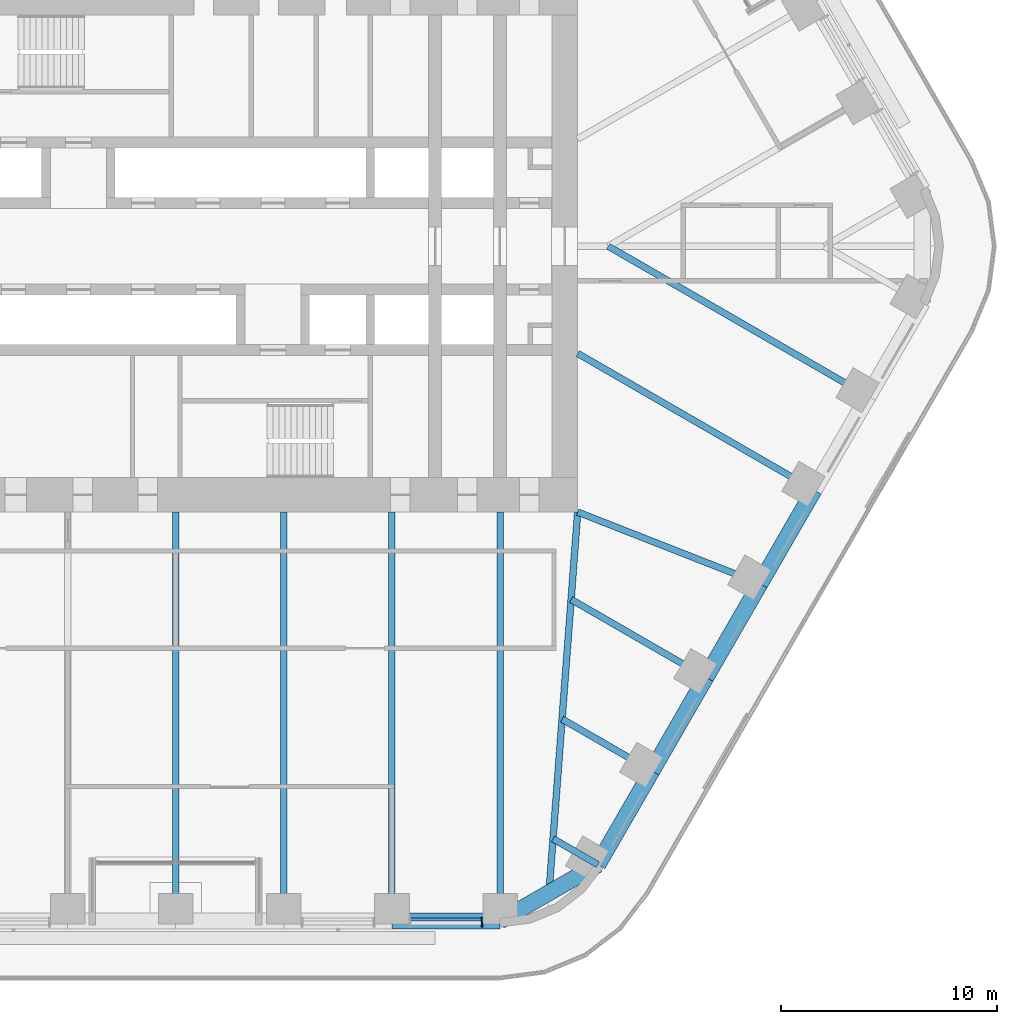
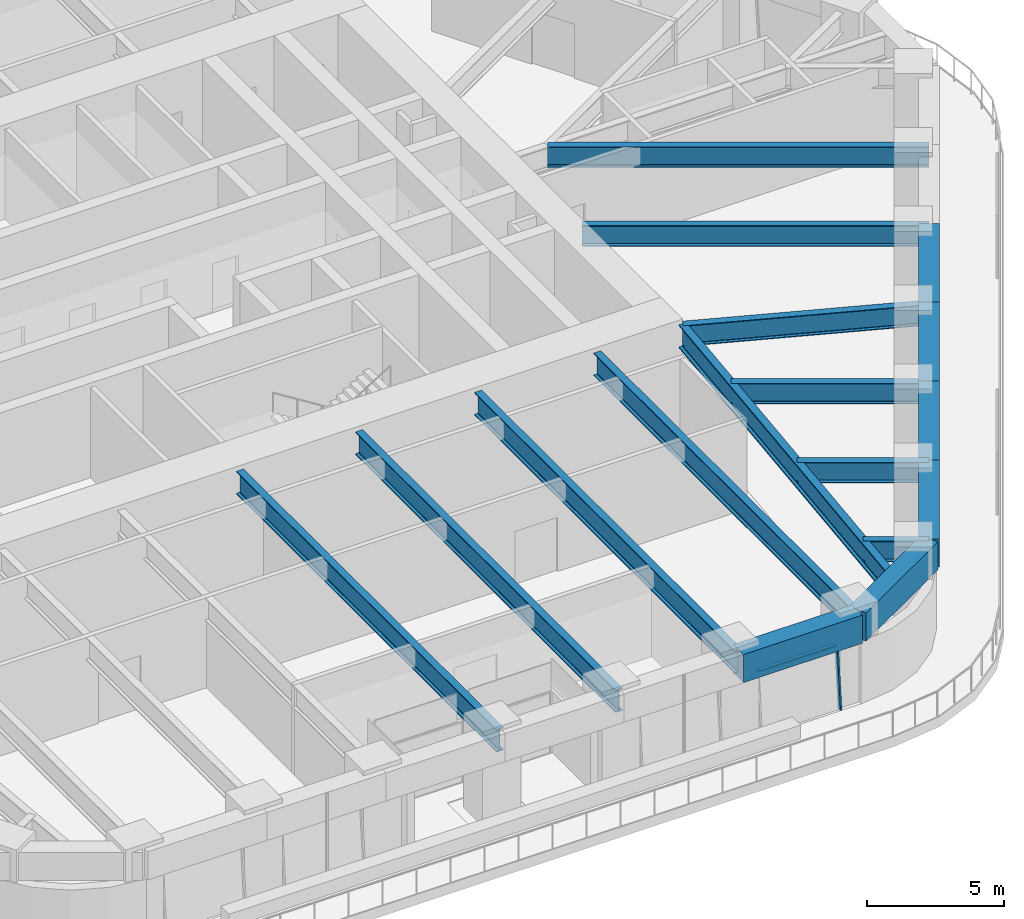
# One storey, part 5 of 24: 17 beams, 2 members, 1 element without a shape of its own.
"""IFC4 building model written with IfcOpenShell, lengths in metres."""

from ifc_helpers import new_model, si_unit, direction, frame, origin, origin_2d, place, context, subcontext, project, spatial, rectangle, i_section, extrude, material, material_profile, profile_set, type_object, element, aggregate, save


model = new_model("IFC4")

# Units and contexts
model_context = context("Model", 3, precision=1e-05, world=origin(), true_north=direction((0.0, 1.0)))
body_context = subcontext(model_context, "Body", "Model", "MODEL_VIEW")
ifc_project = project(units=[si_unit("LENGTHUNIT", "METRE"), si_unit("AREAUNIT", "SQUARE_METRE"), si_unit("VOLUMEUNIT", "CUBIC_METRE"), si_unit("PLANEANGLEUNIT", "RADIAN"), si_unit("MASSUNIT", "GRAM", prefix="KILO")], contexts=[model_context])

# Site, building, storey
site_placement = place(None, origin())
site = spatial("IfcSite", under=ifc_project, at=site_placement, CompositionType="ELEMENT")
building_placement = place(site_placement, origin())
building = spatial("IfcBuilding", under=site, at=building_placement, Name="Tarfa Lantern Tower", CompositionType="ELEMENT")
storey_placement = place(building_placement, frame((0.0, 0.0, 178.300048828125)))
storey = spatial("IfcBuildingStorey", under=building, at=storey_placement, Name="L40", CompositionType="ELEMENT", Elevation=178.300048828125)

# Curtain wall, members
ifc_material_1 = material(Name="Aluminium framed curtain wall", Category="aluminium")
curtain_wall_type = type_object("IfcCurtainWallType", Name="CW2 CANTED GLAZING MID ZONE 2750", PredefinedType="USERDEFINED", material=ifc_material_1)
curtain_wall_placement = place(storey_placement, origin())
curtain_wall = element("IfcCurtainWall", 1, at=curtain_wall_placement, inside=storey, type_object=curtain_wall_type, Name="CW2 SB L40", ObjectType="CURTAIN WALL", PredefinedType="USERDEFINED")
ifc_material_2 = material(Name="Aluminium mullion", Category="aluminium")
ifc_material_profile_1 = material_profile(ifc_material_2, rectangle(XDim=0.06494140625, YDim=0.199951171875, at=origin_2d()), Name="AL MULLION 65x200")
ifc_profile_set_1 = profile_set([ifc_material_profile_1], Name="Aluminium mullion")
member_type_1 = type_object("IfcMemberType", Name="CWM1 MULLION 65x200", PredefinedType="MULLION", material=ifc_profile_set_1)
member_1_placement = place(storey_placement, frame((14.1787109375, -31.39990234375, 0.0), z_axis=(0.0, 0.090535746043, 0.995893206468), x_axis=(-1.0, 0.0, 0.0)))
member_1 = element("IfcMember", 2, at=member_1_placement, type_object=member_type_1, Name="CW2 mullion 2", PredefinedType="MULLION", context=body_context, shape_type="SweptSolid", body=[
    extrude(rectangle(XDim=0.06494140625, YDim=0.199951171875, at=origin_2d()), origin(), (0.0, 0.0, 1.0), 2.76123046875),
])
ifc_material_3 = material(Name="Aluminium transom", Category="aluminium")
ifc_material_profile_2 = material_profile(ifc_material_3, rectangle(XDim=0.14990234375, YDim=0.06494140625, at=origin_2d()), Name="AL TRANSOM 150x65")
ifc_profile_set_2 = profile_set([ifc_material_profile_2], Name="Aluminium transom")
member_type_2 = type_object("IfcMemberType", Name="CWT1 TRANSOM 150x65", PredefinedType="USERDEFINED", material=ifc_profile_set_2)
member_2_placement = place(storey_placement, frame((10.872314453125, -31.153076171875, 2.717529296875), z_axis=(1.0, 0.0, 0.0), x_axis=(0.0, 1.0, 0.0)))
member_2 = element("IfcMember", 3, at=member_2_placement, type_object=member_type_2, Name="CW2 transom 1.2", ObjectType="TRANSOM", PredefinedType="USERDEFINED", context=body_context, shape_type="SweptSolid", body=[
    extrude(rectangle(XDim=0.14990234375, YDim=0.06494140625, at=origin_2d()), origin(), (0.0, 0.0, 1.0), 3.273681640625),
])
aggregate(curtain_wall, [member_1, member_2])

# Beams
ifc_material_4 = material(Name="Concrete C80/95", Category="concrete")
ifc_material_profile_3 = material_profile(ifc_material_4, rectangle(XDim=0.75, YDim=1.25, at=origin_2d()), Name="RC 750x1250")
ifc_profile_set_3 = profile_set([ifc_material_profile_3], Name="Concrete C80/95")
beam_type_1 = type_object("IfcBeamType", Name="EB2 RC 750x1250", PredefinedType="SPANDREL", material=ifc_profile_set_3)
beam_1_placement = place(storey_placement, frame((10.00732421875, -31.219970703125, 3.375), z_axis=(1.0, 0.0, 0.0), x_axis=(0.0, 1.0, 0.0)))
element("IfcBeam", 4, at=beam_1_placement, inside=storey, type_object=beam_type_1, Name="Edge beam S5", PredefinedType="SPANDREL", context=body_context, shape_type="SweptSolid", body=[
    extrude(rectangle(XDim=0.75, YDim=1.25, at=origin_2d()), origin(), (0.0, 0.0, 1.0), 5.003662109375),
])
beam_2_placement = place(storey_placement, frame((15.010986328125, -31.219970703125, 3.375), z_axis=(0.86604150238, 0.499972115377, 0.0), x_axis=(-0.499972115377, 0.86604150238, 0.0)))
element("IfcBeam", 5, at=beam_2_placement, inside=storey, type_object=beam_type_1, Name="Edge beam S6", PredefinedType="SPANDREL", context=body_context, shape_type="SweptSolid", body=[
    extrude(rectangle(XDim=0.75, YDim=1.25, at=origin_2d()), origin(), (0.0, 0.0, 1.0), 5.219970703125),
])
beam_3_placement = place(storey_placement, frame((19.53173828125, -28.610107421875, 3.375), z_axis=(0.500001197378, 0.866024712477, 0.0), x_axis=(-0.866024712477, 0.500001197378, 0.0)))
element("IfcBeam", 6, at=beam_3_placement, inside=storey, type_object=beam_type_1, Name="Edge beam SE0", PredefinedType="SPANDREL", context=body_context, shape_type="SweptSolid", body=[
    extrude(rectangle(XDim=0.75, YDim=1.25, at=origin_2d()), origin(), (0.0, 0.0, 1.0), 5.00390625),
])
for number, where, z_axis, x_axis, name in (
    (7, (22.03369140625, -24.276611328125, 3.375), (0.49998573051, 0.866033642122, 0.0), (-0.866033642122, 0.49998573051, 0.0), "Edge beam SE1"),
    (8, (24.535400390625, -19.943359375, 3.375), (0.500022324899, 0.866012514114, 0.0), (-0.866012514114, 0.500022324899, 0.0), "Edge beam SE2"),
    (9, (27.037353515625, -15.610107421875, 3.375), (0.499964603504, 0.866045838996, 0.0), (-0.866045838996, 0.499964603504, 0.0), "Edge beam SE3"),
):
    element("IfcBeam", number, at=place(storey_placement, frame(where, z_axis=z_axis, x_axis=x_axis)), inside=storey, type_object=beam_type_1, Name=name, PredefinedType="SPANDREL", context=body_context, shape_type="SweptSolid", body=[
        extrude(rectangle(XDim=0.75, YDim=1.25, at=origin_2d()), origin(), (0.0, 0.0, 1.0), 5.003662109375),
    ])
ifc_material_5 = material(Name="Steel S460M", Category="steel")
ifc_material_profile_4 = material_profile(ifc_material_5, i_section(OverallWidth=0.302001953125, OverallDepth=1.008056640625, WebThickness=0.02099609375, FlangeThickness=0.0400390625, FilletRadius=0.030029296875, at=origin_2d()), Name="UB1016x305x349")
ifc_profile_set_4 = profile_set([ifc_material_profile_4], Name="Steel S460M")
beam_type_2 = type_object("IfcBeamType", Name="UB1016x305x349", PredefinedType="BEAM", material=ifc_profile_set_4)
for number, where, z_axis, x_axis, name in (
    (10, (0.0, -31.219970703125, 3.495849609375), (0.0, 1.0, 0.0), (-1.0, 0.0, 0.0), "Floor beam S3"),
    (11, (5.003662109375, -31.219970703125, 3.495849609375), (0.0, 1.0, 0.0), (-1.0, 0.0, 0.0), "Floor beam S4"),
    (12, (10.00732421875, -31.219970703125, 3.495849609375), (0.0, 1.0, 0.0), (-1.0, 0.0, 0.0), "Floor beam S5"),
    (13, (15.010986328125, -31.219970703125, 3.495849609375), (0.0, 1.0, 0.0), (-1.0, 0.0, 0.0), "Floor beam S6"),
):
    element("IfcBeam", number, at=place(storey_placement, frame(where, z_axis=z_axis, x_axis=x_axis)), inside=storey, type_object=beam_type_2, Name=name, PredefinedType="BEAM", context=body_context, shape_type="SweptSolid", body=[
        extrude(i_section(OverallWidth=0.302001953125, OverallDepth=1.008056640625, WebThickness=0.02099609375, FlangeThickness=0.0400390625, FilletRadius=0.030029296875, at=origin_2d()), origin(), (0.0, 0.0, 1.0), 18.919921875),
    ])
ifc_material_profile_5 = material_profile(ifc_material_5, i_section(OverallWidth=0.30859375, OverallDepth=1.036376953125, WebThickness=0.030029296875, FlangeThickness=0.05419921875, FilletRadius=0.030029296875, at=origin_2d()), Name="UB1016x305x487")
ifc_profile_set_5 = profile_set([ifc_material_profile_5], Name="Steel S460M")
beam_type_3 = type_object("IfcBeamType", Name="UB1016x305x487", PredefinedType="BEAM", material=ifc_profile_set_5)
beam_4_placement = place(storey_placement, frame((18.60009765625, -12.300048828125, 3.481689453125), z_axis=(-0.075211516041, -0.99716760269, 0.0), x_axis=(0.99716760269, -0.075211516041, 0.0)))
element("IfcBeam", 14, at=beam_4_placement, inside=storey, type_object=beam_type_3, Name="Hip girder SE", PredefinedType="BEAM", context=body_context, shape_type="SweptSolid", body=[
    extrude(i_section(OverallWidth=0.30859375, OverallDepth=1.036376953125, WebThickness=0.030029296875, FlangeThickness=0.05419921875, FilletRadius=0.030029296875, at=origin_2d()), origin(), (0.0, 0.0, 1.0), 17.6650390625),
])
ifc_material_profile_6 = material_profile(ifc_material_5, i_section(OverallWidth=0.305419921875, OverallDepth=0.91845703125, WebThickness=0.017333984375, FlangeThickness=0.02783203125, FilletRadius=0.01904296875, at=origin_2d()), Name="UB914x305x253")
ifc_profile_set_6 = profile_set([ifc_material_profile_6], Name="Steel S460M")
beam_type_4 = type_object("IfcBeamType", Name="UB914x305x253", PredefinedType="BEAM", material=ifc_profile_set_6)
beam_5_placement = place(storey_placement, frame((19.53173828125, -28.610107421875, 3.540771484375), z_axis=(-0.865998640954, 0.500046351717, 0.0), x_axis=(-0.500046351717, -0.865998640954, 0.0)))
element("IfcBeam", 15, at=beam_5_placement, inside=storey, type_object=beam_type_4, Name="Floor beam SE0", PredefinedType="BEAM", context=body_context, shape_type="SweptSolid", body=[
    extrude(i_section(OverallWidth=0.305419921875, OverallDepth=0.91845703125, WebThickness=0.017333984375, FlangeThickness=0.02783203125, FilletRadius=0.01904296875, at=origin_2d()), origin(), (0.0, 0.0, 1.0), 2.392333984375),
])
beam_6_placement = place(storey_placement, frame((22.03369140625, -24.276611328125, 3.540771484375), z_axis=(-0.866030550462, 0.499991085587, 0.0), x_axis=(-0.499991085587, -0.866030550462, 0.0)))
element("IfcBeam", 16, at=beam_6_placement, inside=storey, type_object=beam_type_4, Name="Floor beam SE1", PredefinedType="BEAM", context=body_context, shape_type="SweptSolid", body=[
    extrude(i_section(OverallWidth=0.305419921875, OverallDepth=0.91845703125, WebThickness=0.017333984375, FlangeThickness=0.02783203125, FilletRadius=0.01904296875, at=origin_2d()), origin(), (0.0, 0.0, 1.0), 4.798828125),
])
beam_7_placement = place(storey_placement, frame((24.535400390625, -19.943359375, 3.540771484375), z_axis=(-0.86602647304, 0.499998147991, 0.0), x_axis=(-0.499998147991, -0.86602647304, 0.0)))
element("IfcBeam", 17, at=beam_7_placement, inside=storey, type_object=beam_type_4, Name="Floor beam SE2", PredefinedType="BEAM", context=body_context, shape_type="SweptSolid", body=[
    extrude(i_section(OverallWidth=0.305419921875, OverallDepth=0.91845703125, WebThickness=0.017333984375, FlangeThickness=0.02783203125, FilletRadius=0.01904296875, at=origin_2d()), origin(), (0.0, 0.0, 1.0), 7.20556640625),
])
beam_8_placement = place(storey_placement, frame((27.037353515625, -15.610107421875, 3.540771484375), z_axis=(-0.930923282782, 0.365214788274, 0.0), x_axis=(-0.365214788274, -0.930923282782, 0.0)))
element("IfcBeam", 18, at=beam_8_placement, inside=storey, type_object=beam_type_4, Name="Floor beam SE3", PredefinedType="BEAM", context=body_context, shape_type="SweptSolid", body=[
    extrude(i_section(OverallWidth=0.305419921875, OverallDepth=0.91845703125, WebThickness=0.017333984375, FlangeThickness=0.02783203125, FilletRadius=0.01904296875, at=origin_2d()), origin(), (0.0, 0.0, 1.0), 9.063232421875),
])
beam_9_placement = place(storey_placement, frame((29.5390625, -11.276611328125, 3.540771484375), z_axis=(-0.866023362995, 0.500003534735, 0.0), x_axis=(-0.500003534735, -0.866023362995, 0.0)))
element("IfcBeam", 19, at=beam_9_placement, inside=storey, type_object=beam_type_4, Name="Floor beam SE4", PredefinedType="BEAM", context=body_context, shape_type="SweptSolid", body=[
    extrude(i_section(OverallWidth=0.305419921875, OverallDepth=0.91845703125, WebThickness=0.017333984375, FlangeThickness=0.02783203125, FilletRadius=0.01904296875, at=origin_2d()), origin(), (0.0, 0.0, 1.0), 12.63134765625),
])
beam_10_placement = place(storey_placement, frame((32.041015625, -6.943359375, 3.540771484375), z_axis=(-0.866023096411, 0.500003996466, 0.0), x_axis=(-0.500003996466, -0.866023096411, 0.0)))
element("IfcBeam", 20, at=beam_10_placement, inside=storey, type_object=beam_type_4, Name="Floor beam SE5", PredefinedType="BEAM", context=body_context, shape_type="SweptSolid", body=[
    extrude(i_section(OverallWidth=0.305419921875, OverallDepth=0.91845703125, WebThickness=0.017333984375, FlangeThickness=0.02783203125, FilletRadius=0.01904296875, at=origin_2d()), origin(), (0.0, 0.0, 1.0), 13.88671875),
])

save(model, "model.ifc")
